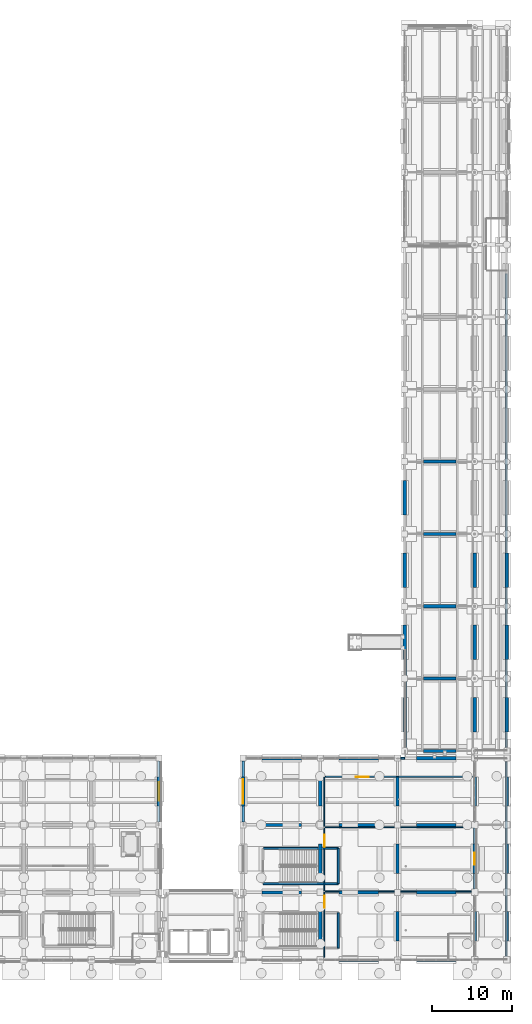
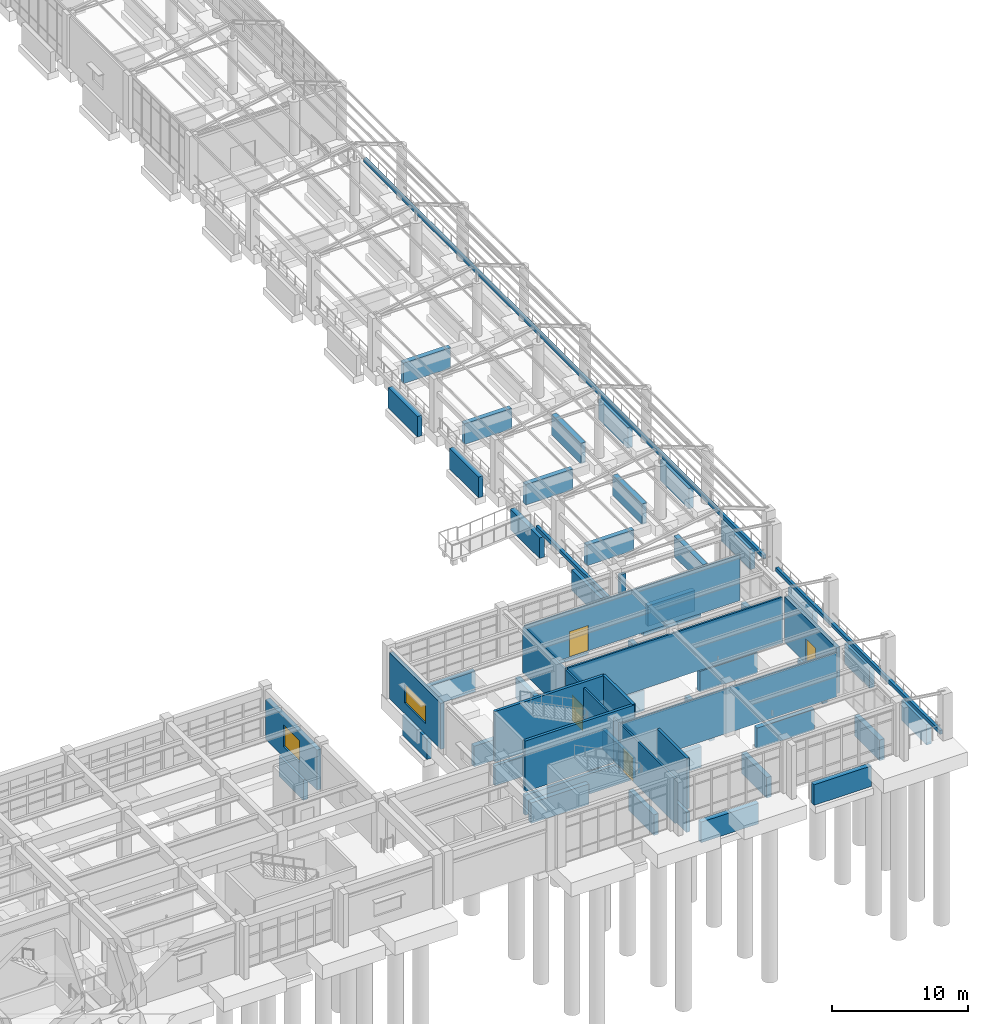
# One storey, part 87 of 111: 61 walls, 4 doors, 2 windows, 6 openings.
"""IFC4 building model written with IfcOpenShell, lengths in metres."""

from ifc_helpers import new_model, si_unit, direction, frame, frame_2d, origin, place, context, subcontext, project, spatial, rectangle, extrude, material, layer, layer_set, type_object, element, fill, save


model = new_model("IFC4")

# Units and contexts
model_context = context("Model", 3, precision=1e-05, world=origin(), true_north=direction((0.0, 1.0)))
body_context = subcontext(model_context, "Body", "Model", "MODEL_VIEW")
ifc_project = project(units=[si_unit("LENGTHUNIT", "METRE"), si_unit("AREAUNIT", "SQUARE_METRE"), si_unit("VOLUMEUNIT", "CUBIC_METRE"), si_unit("PLANEANGLEUNIT", "RADIAN"), si_unit("MASSUNIT", "GRAM", prefix="KILO")], contexts=[model_context])

# Site, building, storey
site_placement = place(None, origin())
site = spatial("IfcSite", under=ifc_project, at=site_placement, CompositionType="ELEMENT")
building_placement = place(site_placement, origin())
building = spatial("IfcBuilding", under=site, at=building_placement, Name="Canglan Escarpment Cableway Terminal", CompositionType="ELEMENT")
storey_placement = place(building_placement, frame((0.0, 0.0, 4.800048828125)))
storey = spatial("IfcBuildingStorey", under=building, at=storey_placement, Name="L01", CompositionType="ELEMENT", Elevation=4.800048828125)

# Walls
ifc_material_1 = material(Name="Concrete C40", Category="concrete")
ifc_layer_1 = layer(ifc_material_1, 0.39990234375, Name="Concrete C40")
ifc_layer_set_1 = layer_set([ifc_layer_1], Name="Concrete C40")
wall_type_1 = type_object("IfcWallType", Name="WL-BENCH-SOLID-400", PredefinedType="SOLIDWALL", material=ifc_layer_set_1)
wall_1_placement = place(storey_placement, frame((136.699951171875, 27.14990234375, -2.10009765625), z_axis=(0.0, 0.0, 1.0), x_axis=(0.0, 1.0, 0.0)))
element("IfcWall", 1, at=wall_1_placement, inside=storey, type_object=wall_type_1, Name="Hillside bench transverse foundation wall BWALL-Y-FB4-4-3", PredefinedType="SOLIDWALL", context=body_context, shape_type="SweptSolid", body=[
    extrude(rectangle(XDim=3.60009765625, YDim=0.39990234375, at=frame_2d((1.800048828125, 0.0))), origin(), (0.0, 0.0, 1.0), 1.85009765625),
])
wall_2_placement = place(storey_placement, frame((159.14990234375, 8.0, -2.10009765625), z_axis=(0.0, 0.0, 1.0), x_axis=(1.0, 0.0, 0.0)))
element("IfcWall", 2, at=wall_2_placement, inside=storey, type_object=wall_type_1, Name="Hillside bench foundation wall BWALL-X-FB5-1-2", PredefinedType="SOLIDWALL", context=body_context, shape_type="SweptSolid", body=[
    extrude(rectangle(XDim=4.900146484375, YDim=0.39990234375, at=frame_2d((2.4501953125, 0.0))), origin(), (0.0, 0.0, 1.0), 1.85009765625),
])
for number, where, z_axis, x_axis, name in (
    (3, (168.75, 8.0, -2.10009765625), (0.0, 0.0, 1.0), (1.0, 0.0, 0.0), "Hillside bench foundation wall BWALL-X-FB5-1-3"),
    (4, (149.550048828125, 16.39990234375, -2.10009765625), (0.0, 0.0, 1.0), (1.0, 0.0, 0.0), "Hillside bench foundation wall BWALL-X-FB5-2-1"),
):
    element("IfcWall", number, at=place(storey_placement, frame(where, z_axis=z_axis, x_axis=x_axis)), inside=storey, type_object=wall_type_1, Name=name, PredefinedType="SOLIDWALL", context=body_context, shape_type="SweptSolid", body=[
        extrude(rectangle(XDim=4.89990234375, YDim=0.39990234375, at=frame_2d((2.449951171875, 0.0))), origin(), (0.0, 0.0, 1.0), 1.85009765625),
    ])
wall_3_placement = place(storey_placement, frame((159.14990234375, 16.39990234375, -2.10009765625), z_axis=(0.0, 0.0, 1.0), x_axis=(1.0, 0.0, 0.0)))
element("IfcWall", 5, at=wall_3_placement, inside=storey, type_object=wall_type_1, Name="Hillside bench foundation wall BWALL-X-FB5-2-2", PredefinedType="SOLIDWALL", context=body_context, shape_type="SweptSolid", body=[
    extrude(rectangle(XDim=4.900146484375, YDim=0.39990234375, at=frame_2d((2.4501953125, 0.0))), origin(), (0.0, 0.0, 1.0), 1.85009765625),
])
for number, where, z_axis, x_axis, name in (
    (6, (168.75, 16.39990234375, -2.10009765625), (0.0, 0.0, 1.0), (1.0, 0.0, 0.0), "Hillside bench foundation wall BWALL-X-FB5-2-3"),
    (7, (149.550048828125, 24.800048828125, -2.10009765625), (0.0, 0.0, 1.0), (1.0, 0.0, 0.0), "Hillside bench foundation wall BWALL-X-FB5-3-1"),
):
    element("IfcWall", number, at=place(storey_placement, frame(where, z_axis=z_axis, x_axis=x_axis)), inside=storey, type_object=wall_type_1, Name=name, PredefinedType="SOLIDWALL", context=body_context, shape_type="SweptSolid", body=[
        extrude(rectangle(XDim=4.89990234375, YDim=0.39990234375, at=frame_2d((2.449951171875, 0.0))), origin(), (0.0, 0.0, 1.0), 1.85009765625),
    ])
wall_4_placement = place(storey_placement, frame((159.14990234375, 24.800048828125, -2.10009765625), z_axis=(0.0, 0.0, 1.0), x_axis=(1.0, 0.0, 0.0)))
element("IfcWall", 8, at=wall_4_placement, inside=storey, type_object=wall_type_1, Name="Hillside bench foundation wall BWALL-X-FB5-3-2", PredefinedType="SOLIDWALL", context=body_context, shape_type="SweptSolid", body=[
    extrude(rectangle(XDim=4.900146484375, YDim=0.39990234375, at=frame_2d((2.4501953125, 0.0))), origin(), (0.0, 0.0, 1.0), 1.85009765625),
])
for number, where, z_axis, x_axis, name in (
    (9, (168.75, 24.800048828125, -2.10009765625), (0.0, 0.0, 1.0), (1.0, 0.0, 0.0), "Hillside bench foundation wall BWALL-X-FB5-3-3"),
    (10, (149.550048828125, 33.10009765625, -2.10009765625), (0.0, 0.0, 1.0), (1.0, 0.0, 0.0), "Hillside bench foundation wall BWALL-X-FB5-4-1"),
):
    element("IfcWall", number, at=place(storey_placement, frame(where, z_axis=z_axis, x_axis=x_axis)), inside=storey, type_object=wall_type_1, Name=name, PredefinedType="SOLIDWALL", context=body_context, shape_type="SweptSolid", body=[
        extrude(rectangle(XDim=4.89990234375, YDim=0.39990234375, at=frame_2d((2.449951171875, 0.0))), origin(), (0.0, 0.0, 1.0), 1.85009765625),
    ])
wall_5_placement = place(storey_placement, frame((159.14990234375, 33.10009765625, -2.10009765625), z_axis=(0.0, 0.0, 1.0), x_axis=(1.0, 0.0, 0.0)))
element("IfcWall", 11, at=wall_5_placement, inside=storey, type_object=wall_type_1, Name="Hillside bench foundation wall BWALL-X-FB5-4-2", PredefinedType="SOLIDWALL", context=body_context, shape_type="SweptSolid", body=[
    extrude(rectangle(XDim=4.900146484375, YDim=0.39990234375, at=frame_2d((2.4501953125, 0.0))), origin(), (0.0, 0.0, 1.0), 1.85009765625),
])
wall_6_placement = place(storey_placement, frame((168.75, 33.10009765625, -2.10009765625), z_axis=(0.0, 0.0, 1.0), x_axis=(1.0, 0.0, 0.0)))
element("IfcWall", 12, at=wall_6_placement, inside=storey, type_object=wall_type_1, Name="Hillside bench foundation wall BWALL-X-FB5-4-3", PredefinedType="SOLIDWALL", context=body_context, shape_type="SweptSolid", body=[
    extrude(rectangle(XDim=4.89990234375, YDim=0.39990234375, at=frame_2d((2.449951171875, 0.0))), origin(), (0.0, 0.0, 1.0), 1.85009765625),
])
wall_7_placement = place(storey_placement, frame((147.199951171875, 27.14990234375, -2.10009765625), z_axis=(0.0, 0.0, 1.0), x_axis=(0.0, 1.0, 0.0)))
element("IfcWall", 13, at=wall_7_placement, inside=storey, type_object=wall_type_1, Name="Hillside bench transverse foundation wall BWALL-Y-FB5-1-3", PredefinedType="SOLIDWALL", context=body_context, shape_type="SweptSolid", body=[
    extrude(rectangle(XDim=3.60009765625, YDim=0.39990234375, at=frame_2d((1.800048828125, 0.0))), origin(), (0.0, 0.0, 1.0), 1.85009765625),
])
for number, where, z_axis, x_axis, name in (
    (14, (156.800048828125, 10.35009765625, -2.10009765625), (0.0, 0.0, 1.0), (0.0, 1.0, 0.0), "Hillside bench transverse foundation wall BWALL-Y-FB5-2-1"),
    (15, (156.800048828125, 18.75, -2.10009765625), (0.0, 0.0, 1.0), (0.0, 1.0, 0.0), "Hillside bench transverse foundation wall BWALL-Y-FB5-2-2"),
):
    element("IfcWall", number, at=place(storey_placement, frame(where, z_axis=z_axis, x_axis=x_axis)), inside=storey, type_object=wall_type_1, Name=name, PredefinedType="SOLIDWALL", context=body_context, shape_type="SweptSolid", body=[
        extrude(rectangle(XDim=3.699951171875, YDim=0.39990234375, at=frame_2d((1.85009765625, 0.0))), origin(), (0.0, 0.0, 1.0), 1.85009765625),
    ])
wall_8_placement = place(storey_placement, frame((156.800048828125, 27.14990234375, -2.10009765625), z_axis=(0.0, 0.0, 1.0), x_axis=(0.0, 1.0, 0.0)))
element("IfcWall", 16, at=wall_8_placement, inside=storey, type_object=wall_type_1, Name="Hillside bench transverse foundation wall BWALL-Y-FB5-2-3", PredefinedType="SOLIDWALL", context=body_context, shape_type="SweptSolid", body=[
    extrude(rectangle(XDim=3.60009765625, YDim=0.39990234375, at=frame_2d((1.800048828125, 0.0))), origin(), (0.0, 0.0, 1.0), 1.85009765625),
])
for number, where, z_axis, x_axis, name in (
    (17, (166.39990234375, 10.35009765625, -2.10009765625), (0.0, 0.0, 1.0), (0.0, 1.0, 0.0), "Hillside bench transverse foundation wall BWALL-Y-FB5-3-1"),
    (18, (166.39990234375, 18.75, -2.10009765625), (0.0, 0.0, 1.0), (0.0, 1.0, 0.0), "Hillside bench transverse foundation wall BWALL-Y-FB5-3-2"),
):
    element("IfcWall", number, at=place(storey_placement, frame(where, z_axis=z_axis, x_axis=x_axis)), inside=storey, type_object=wall_type_1, Name=name, PredefinedType="SOLIDWALL", context=body_context, shape_type="SweptSolid", body=[
        extrude(rectangle(XDim=3.699951171875, YDim=0.39990234375, at=frame_2d((1.85009765625, 0.0))), origin(), (0.0, 0.0, 1.0), 1.85009765625),
    ])
wall_9_placement = place(storey_placement, frame((166.39990234375, 27.14990234375, -2.10009765625), z_axis=(0.0, 0.0, 1.0), x_axis=(0.0, 1.0, 0.0)))
element("IfcWall", 19, at=wall_9_placement, inside=storey, type_object=wall_type_1, Name="Hillside bench transverse foundation wall BWALL-Y-FB5-3-3", PredefinedType="SOLIDWALL", context=body_context, shape_type="SweptSolid", body=[
    extrude(rectangle(XDim=3.60009765625, YDim=0.39990234375, at=frame_2d((1.800048828125, 0.0))), origin(), (0.0, 0.0, 1.0), 1.85009765625),
])
for number, where, z_axis, x_axis, name in (
    (20, (176.0, 10.35009765625, -2.10009765625), (0.0, 0.0, 1.0), (0.0, 1.0, 0.0), "Hillside bench transverse foundation wall BWALL-Y-FB5-4-1"),
    (21, (176.0, 18.75, -2.10009765625), (0.0, 0.0, 1.0), (0.0, 1.0, 0.0), "Hillside bench transverse foundation wall BWALL-Y-FB5-4-2"),
):
    element("IfcWall", number, at=place(storey_placement, frame(where, z_axis=z_axis, x_axis=x_axis)), inside=storey, type_object=wall_type_1, Name=name, PredefinedType="SOLIDWALL", context=body_context, shape_type="SweptSolid", body=[
        extrude(rectangle(XDim=3.699951171875, YDim=0.39990234375, at=frame_2d((1.85009765625, 0.0))), origin(), (0.0, 0.0, 1.0), 1.85009765625),
    ])
wall_10_placement = place(storey_placement, frame((176.0, 27.14990234375, -2.10009765625), z_axis=(0.0, 0.0, 1.0), x_axis=(0.0, 1.0, 0.0)))
element("IfcWall", 22, at=wall_10_placement, inside=storey, type_object=wall_type_1, Name="Hillside bench transverse foundation wall BWALL-Y-FB5-4-3", PredefinedType="SOLIDWALL", context=body_context, shape_type="SweptSolid", body=[
    extrude(rectangle(XDim=3.60009765625, YDim=0.39990234375, at=frame_2d((1.800048828125, 0.0))), origin(), (0.0, 0.0, 1.0), 1.85009765625),
])
for number, where, z_axis, x_axis, name in (
    (23, (180.0, 10.35009765625, -2.10009765625), (0.0, 0.0, 1.0), (0.0, 1.0, 0.0), "Hillside bench transverse foundation wall BWALL-Y-FB5-5-1"),
    (24, (180.0, 18.75, -2.10009765625), (0.0, 0.0, 1.0), (0.0, 1.0, 0.0), "Hillside bench transverse foundation wall BWALL-Y-FB5-5-2"),
):
    element("IfcWall", number, at=place(storey_placement, frame(where, z_axis=z_axis, x_axis=x_axis)), inside=storey, type_object=wall_type_1, Name=name, PredefinedType="SOLIDWALL", context=body_context, shape_type="SweptSolid", body=[
        extrude(rectangle(XDim=3.699951171875, YDim=0.39990234375, at=frame_2d((1.85009765625, 0.0))), origin(), (0.0, 0.0, 1.0), 1.85009765625),
    ])
wall_11_placement = place(storey_placement, frame((180.0, 27.14990234375, -2.10009765625), z_axis=(0.0, 0.0, 1.0), x_axis=(0.0, 1.0, 0.0)))
element("IfcWall", 25, at=wall_11_placement, inside=storey, type_object=wall_type_1, Name="Hillside bench transverse foundation wall BWALL-Y-FB5-5-3", PredefinedType="SOLIDWALL", context=body_context, shape_type="SweptSolid", body=[
    extrude(rectangle(XDim=3.60009765625, YDim=0.39990234375, at=frame_2d((1.800048828125, 0.0))), origin(), (0.0, 0.0, 1.0), 1.85009765625),
])
for number, where, z_axis, x_axis, name in (
    (26, (169.64990234375, 34.0, -2.10009765625), (0.0, 0.0, 1.0), (1.0, 0.0, 0.0), "Hillside bench foundation wall BWALL-X-FB6-1-1"),
    (27, (169.64990234375, 43.0, -2.10009765625), (0.0, 0.0, 1.0), (1.0, 0.0, 0.0), "Hillside bench foundation wall BWALL-X-FB6-2-1"),
    (28, (169.64990234375, 52.0, -2.10009765625), (0.0, 0.0, 1.0), (1.0, 0.0, 0.0), "Hillside bench foundation wall BWALL-X-FB6-3-1"),
    (29, (169.64990234375, 61.0, -2.10009765625), (0.0, 0.0, 1.0), (1.0, 0.0, 0.0), "Hillside bench foundation wall BWALL-X-FB6-4-1"),
    (30, (169.64990234375, 70.0, -2.10009765625), (0.0, 0.0, 1.0), (1.0, 0.0, 0.0), "Hillside bench foundation wall BWALL-X-FB6-5-1"),
):
    element("IfcWall", number, at=place(storey_placement, frame(where, z_axis=z_axis, x_axis=x_axis)), inside=storey, type_object=wall_type_1, Name=name, PredefinedType="SOLIDWALL", context=body_context, shape_type="SweptSolid", body=[
        extrude(rectangle(XDim=4.0, YDim=0.39990234375, at=frame_2d((2.0, 0.0))), origin(), (0.0, 0.0, 1.0), 1.85009765625),
    ])
for number, where, z_axis, x_axis, name in (
    (31, (167.300048828125, 36.35009765625, -2.10009765625), (0.0, 0.0, 1.0), (0.0, 1.0, 0.0), "Hillside bench transverse foundation wall BWALL-Y-FB6-1-1"),
    (32, (167.300048828125, 45.35009765625, -2.10009765625), (0.0, 0.0, 1.0), (0.0, 1.0, 0.0), "Hillside bench transverse foundation wall BWALL-Y-FB6-1-2"),
    (33, (167.300048828125, 54.35009765625, -2.10009765625), (0.0, 0.0, 1.0), (0.0, 1.0, 0.0), "Hillside bench transverse foundation wall BWALL-Y-FB6-1-3"),
    (34, (167.300048828125, 63.35009765625, -2.10009765625), (0.0, 0.0, 1.0), (0.0, 1.0, 0.0), "Hillside bench transverse foundation wall BWALL-Y-FB6-1-4"),
    (35, (176.0, 36.35009765625, -2.10009765625), (0.0, 0.0, 1.0), (0.0, 1.0, 0.0), "Hillside bench transverse foundation wall BWALL-Y-FB6-2-1"),
    (36, (176.0, 45.35009765625, -2.10009765625), (0.0, 0.0, 1.0), (0.0, 1.0, 0.0), "Hillside bench transverse foundation wall BWALL-Y-FB6-2-2"),
    (37, (176.0, 54.35009765625, -2.10009765625), (0.0, 0.0, 1.0), (0.0, 1.0, 0.0), "Hillside bench transverse foundation wall BWALL-Y-FB6-2-3"),
    (38, (180.0, 36.35009765625, -2.10009765625), (0.0, 0.0, 1.0), (0.0, 1.0, 0.0), "Hillside bench transverse foundation wall BWALL-Y-FB6-3-1"),
    (39, (180.0, 45.35009765625, -2.10009765625), (0.0, 0.0, 1.0), (0.0, 1.0, 0.0), "Hillside bench transverse foundation wall BWALL-Y-FB6-3-2"),
    (40, (180.0, 54.35009765625, -2.10009765625), (0.0, 0.0, 1.0), (0.0, 1.0, 0.0), "Hillside bench transverse foundation wall BWALL-Y-FB6-3-3"),
):
    element("IfcWall", number, at=place(storey_placement, frame(where, z_axis=z_axis, x_axis=x_axis)), inside=storey, type_object=wall_type_1, Name=name, PredefinedType="SOLIDWALL", context=body_context, shape_type="SweptSolid", body=[
        extrude(rectangle(XDim=4.2998046875, YDim=0.39990234375, at=frame_2d((2.14990234375, 0.0))), origin(), (0.0, 0.0, 1.0), 1.85009765625),
    ])
wall_12_placement = place(storey_placement, frame((159.02001953125, 9.47998046875, -2.10009765625), z_axis=(0.0, 0.0, 1.0), x_axis=(0.0, 1.0, 0.0)))
element("IfcWall", 41, at=wall_12_placement, inside=storey, type_object=wall_type_1, Name="Stair core foundation wall ST-08", PredefinedType="SOLIDWALL", context=body_context, shape_type="SweptSolid", body=[
    extrude(rectangle(XDim=4.39013671875, YDim=0.280029296875, at=frame_2d((2.195068359375, 0.0))), origin(), (0.0, 0.0, 1.0), 1.800048828125),
])
wall_13_placement = place(storey_placement, frame((149.679931640625, 17.47998046875, -2.10009765625), z_axis=(0.0, 0.0, 1.0), x_axis=(1.0, 0.0, 0.0)))
element("IfcWall", 42, at=wall_13_placement, inside=storey, type_object=wall_type_1, Name="Stair core foundation wall ST-09", PredefinedType="SOLIDWALL", context=body_context, shape_type="SweptSolid", body=[
    extrude(rectangle(XDim=9.340087890625, YDim=0.280029296875, at=frame_2d((4.669921875, 0.0))), origin(), (0.0, 0.0, 1.0), 1.800048828125),
])
wall_14_placement = place(storey_placement, frame((159.02001953125, 17.47998046875, -2.10009765625), z_axis=(0.0, 0.0, 1.0), x_axis=(0.0, 1.0, 0.0)))
element("IfcWall", 43, at=wall_14_placement, inside=storey, type_object=wall_type_1, Name="Stair core foundation wall ST-09", PredefinedType="SOLIDWALL", context=body_context, shape_type="SweptSolid", body=[
    extrude(rectangle(XDim=4.39013671875, YDim=0.280029296875, at=frame_2d((2.195068359375, 0.0))), origin(), (0.0, 0.0, 1.0), 1.800048828125),
])
wall_15_placement = place(storey_placement, frame((159.02001953125, 21.8701171875, -2.10009765625), z_axis=(0.0, 0.0, 1.0), x_axis=(-1.0, 0.0, 0.0)))
element("IfcWall", 44, at=wall_15_placement, inside=storey, type_object=wall_type_1, Name="Stair core foundation wall ST-09", PredefinedType="SOLIDWALL", context=body_context, shape_type="SweptSolid", body=[
    extrude(rectangle(XDim=9.340087890625, YDim=0.280029296875, at=frame_2d((4.669921875, 0.0))), origin(), (0.0, 0.0, 1.0), 1.800048828125),
])
ifc_layer_2 = layer(ifc_material_1, 0.239990234375, Name="Concrete C40")
ifc_layer_set_2 = layer_set([ifc_layer_2], Name="Concrete C40")
wall_type_2 = type_object("IfcWallType", Name="WL-CORE-SHEAR-240", PredefinedType="SHEAR", material=ifc_layer_set_2)
wall_16_placement = place(storey_placement, frame((159.02001953125, 9.47998046875, 0.0), z_axis=(0.0, 0.0, 1.0), x_axis=(0.0, 1.0, 0.0)))
element("IfcWall", 45, at=wall_16_placement, inside=storey, type_object=wall_type_2, Name="Protected stair core wall ST-08 (L01)", PredefinedType="SHEAR", context=body_context, shape_type="SweptSolid", body=[
    extrude(rectangle(XDim=4.39013671875, YDim=0.239990234375, at=frame_2d((2.195068359375, 0.0))), origin(), (0.0, 0.0, 1.0), 4.550048828125),
])
wall_17_placement = place(storey_placement, frame((149.679931640625, 17.47998046875, 0.0), z_axis=(0.0, 0.0, 1.0), x_axis=(1.0, 0.0, 0.0)))
element("IfcWall", 46, at=wall_17_placement, inside=storey, type_object=wall_type_2, Name="Protected stair core wall ST-09 (L01)", PredefinedType="SHEAR", context=body_context, shape_type="SweptSolid", body=[
    extrude(rectangle(XDim=9.340087890625, YDim=0.239990234375, at=frame_2d((4.669921875, 0.0))), origin(), (0.0, 0.0, 1.0), 4.550048828125),
])
wall_18_placement = place(storey_placement, frame((159.02001953125, 17.47998046875, 0.0), z_axis=(0.0, 0.0, 1.0), x_axis=(0.0, 1.0, 0.0)))
element("IfcWall", 47, at=wall_18_placement, inside=storey, type_object=wall_type_2, Name="Protected stair core wall ST-09 (L01)", PredefinedType="SHEAR", context=body_context, shape_type="SweptSolid", body=[
    extrude(rectangle(XDim=4.39013671875, YDim=0.239990234375, at=frame_2d((2.195068359375, 0.0))), origin(), (0.0, 0.0, 1.0), 4.550048828125),
])
wall_19_placement = place(storey_placement, frame((159.02001953125, 21.8701171875, 0.0), z_axis=(0.0, 0.0, 1.0), x_axis=(-1.0, 0.0, 0.0)))
element("IfcWall", 48, at=wall_19_placement, inside=storey, type_object=wall_type_2, Name="Protected stair core wall ST-09 (L01)", PredefinedType="SHEAR", context=body_context, shape_type="SweptSolid", body=[
    extrude(rectangle(XDim=9.340087890625, YDim=0.239990234375, at=frame_2d((4.669921875, 0.0))), origin(), (0.0, 0.0, 1.0), 4.550048828125),
])

# Wall, opening, door
ifc_material_2 = material(Name="Dressed ashlar limestone on Concrete C40", Category="masonry")
ifc_layer_3 = layer(ifc_material_2, 0.320068359375, Name="Dressed ashlar limestone on Concrete C40")
ifc_layer_set_3 = layer_set([ifc_layer_3], Name="Dressed ashlar limestone on Concrete C40")
wall_type_3 = type_object("IfcWallType", Name="WL-EXT-ASHLAR-320", PredefinedType="STANDARD", material=ifc_layer_set_3)
wall_20_placement = place(storey_placement, frame((176.0, 16.800048828125, 0.0), z_axis=(0.0, 0.0, 1.0), x_axis=(0.0, 1.0, 0.0)))
wall_20 = element("IfcWall", 49, at=wall_20_placement, inside=storey, type_object=wall_type_3, Name="Classical stone-faced exterior wall EW-FB5-L01-E-02", PredefinedType="STANDARD", context=body_context, shape_type="SweptSolid", body=[
    extrude(rectangle(XDim=7.599853515625, YDim=0.320068359375, at=frame_2d((3.7998046875, 0.0))), origin(), (0.0, 0.0, 1.0), 4.114990234375),
])
opening_1_placement = place(wall_20_placement, frame((3.0400390625, 0.0, 0.0)))
opening_1 = element("IfcOpeningElement", 50, at=opening_1_placement, cuts=wall_20, Name="Opening ED-08", PredefinedType="OPENING", context=body_context, shape_type="SweptSolid", body=[
    extrude(rectangle(XDim=1.52001953125, YDim=2.219970703125, at=frame_2d((0.760009765625, 1.10986328125))), frame((0.0, 0.169921875, 0.0), z_axis=(0.0, -1.0, 0.0), x_axis=(1.0, 0.0, 0.0)), (0.0, 0.0, 1.0), 0.340087890625),
])
ifc_material_3 = material(Name="Anodized bronze aluminium and tempered safety glass", Category="aluminium")
door_type_1 = type_object("IfcDoorType", Name="DR-EXT-BALC-1520", OperationType="NOTDEFINED", PredefinedType="DOOR", material=ifc_material_3)
door_1_placement = place(opening_1_placement, origin())
door_1 = element("IfcDoor", 51, at=door_1_placement, inside=storey, type_object=door_type_1, Name="Terrace access glazed door ED-08", OperationType="DOUBLE_DOOR_SINGLE_SWING", OverallHeight=2.219970703125, OverallWidth=1.52001953125, PredefinedType="DOOR", context=body_context, shape_type="SweptSolid", body=[
    extrude(rectangle(XDim=1.52001953125, YDim=2.219970703125, at=frame_2d((0.760009765625, 1.10986328125))), frame((0.0, 0.02490234375, 0.0), z_axis=(0.0, -1.0, 0.0), x_axis=(1.0, 0.0, 0.0)), (0.0, 0.0, 1.0), 0.050048828125),
])
fill(opening_1, door_1)

# Wall, opening, window
wall_21_placement = place(storey_placement, frame((147.199951171875, 32.72509765625, 0.0), z_axis=(0.0, 0.0, 1.0), x_axis=(0.0, -1.0, 0.0)))
wall_21 = element("IfcWall", 52, at=wall_21_placement, inside=storey, type_object=wall_type_3, Name="Classical stone-faced exterior wall EW-FB5-L01-W-03", PredefinedType="STANDARD", context=body_context, shape_type="SweptSolid", body=[
    extrude(rectangle(XDim=7.550048828125, YDim=0.320068359375, at=frame_2d((3.77490234375, 0.0))), origin(), (0.0, 0.0, 1.0), 4.135009765625),
])
opening_2_placement = place(wall_21_placement, frame((2.22509765625, 0.0, 0.949951171875)))
opening_2 = element("IfcOpeningElement", 53, at=opening_2_placement, cuts=wall_21, Name="Opening W-34", PredefinedType="OPENING", context=body_context, shape_type="SweptSolid", body=[
    extrude(rectangle(XDim=3.10009765625, YDim=1.699951171875, at=frame_2d((1.550048828125, 0.85009765625))), frame((0.0, 0.169921875, 0.0), z_axis=(0.0, -1.0, 0.0), x_axis=(1.0, 0.0, 0.0)), (0.0, 0.0, 1.0), 0.340087890625),
])
ifc_material_4 = material(Name="Anodized bronze aluminium and Low-E double glazing", Category="aluminium")
window_type_1 = type_object("IfcWindowType", Name="WIN-EXT-34", PartitioningType="DOUBLE_PANEL_VERTICAL", PredefinedType="WINDOW", material=ifc_material_4)
window_1_placement = place(opening_2_placement, origin())
window_1 = element("IfcWindow", 54, at=window_1_placement, inside=storey, type_object=window_type_1, Name="Classical module window W-34", OverallHeight=1.699951171875, OverallWidth=3.10009765625, PartitioningType="SINGLE_PANEL", PredefinedType="WINDOW", context=body_context, shape_type="SweptSolid", body=[
    extrude(rectangle(XDim=3.10009765625, YDim=1.699951171875, at=frame_2d((1.550048828125, 0.85009765625))), frame((0.0, 0.030029296875, 0.0), z_axis=(0.0, -1.0, 0.0), x_axis=(1.0, 0.0, 0.0)), (0.0, 0.0, 1.0), 0.06005859375),
])
fill(opening_2, window_1)

# Wall
ifc_material_5 = material(Name="Insulated stone-faced spandrel wall", Category="masonry")
ifc_layer_4 = layer(ifc_material_5, 0.22998046875, Name="Insulated stone-faced spandrel wall")
ifc_layer_set_4 = layer_set([ifc_layer_4], Name="Insulated stone-faced spandrel wall")
wall_type_4 = type_object("IfcWallType", Name="WL-EXT-LINK-230", PredefinedType="STANDARD", material=ifc_layer_set_4)
wall_22_placement = place(storey_placement, frame((166.77490234375, 33.10009765625, 0.0), z_axis=(0.0, 0.0, 1.0), x_axis=(1.0, 0.0, 0.0)))
element("IfcWall", 55, at=wall_22_placement, inside=storey, type_object=wall_type_4, Name="Classical stone-faced exterior wall EW-FB5-L01-N-03-FL1", PredefinedType="STANDARD", context=body_context, shape_type="SweptSolid", body=[
    extrude(rectangle(XDim=0.525146484375, YDim=0.22998046875, at=frame_2d((0.2626953125, 0.0))), origin(), (0.0, 0.0, 1.0), 4.02685546875),
])

# Wall, opening, window
ifc_material_6 = material(Name="Rusticated limestone masonry on Concrete C40", Category="masonry")
ifc_layer_5 = layer(ifc_material_6, 0.360107421875, Name="Rusticated limestone masonry on Concrete C40")
ifc_layer_set_5 = layer_set([ifc_layer_5], Name="Rusticated limestone masonry on Concrete C40")
wall_type_5 = type_object("IfcWallType", Name="WL-EXT-RUST-360", PredefinedType="STANDARD", material=ifc_layer_set_5)
wall_23_placement = place(storey_placement, frame((136.699951171875, 25.175048828125, 0.0), z_axis=(0.0, 0.0, 1.0), x_axis=(0.0, 1.0, 0.0)))
wall_23 = element("IfcWall", 56, at=wall_23_placement, inside=storey, type_object=wall_type_5, Name="Classical stone-faced exterior wall EW-FB4-L01-E-03", PredefinedType="STANDARD", context=body_context, shape_type="SweptSolid", body=[
    extrude(rectangle(XDim=7.550048828125, YDim=0.360107421875, at=frame_2d((3.77490234375, 0.0))), origin(), (0.0, 0.0, 1.0), 3.614990234375),
])
opening_3_placement = place(wall_23_placement, frame((2.60009765625, 0.0, 0.949951171875)))
opening_3 = element("IfcOpeningElement", 57, at=opening_3_placement, cuts=wall_23, Name="Opening W-23", PredefinedType="OPENING", context=body_context, shape_type="SweptSolid", body=[
    extrude(rectangle(XDim=2.35009765625, YDim=1.949951171875, at=frame_2d((1.175048828125, 0.97509765625))), frame((0.0, 0.18994140625, 0.0), z_axis=(0.0, -1.0, 0.0), x_axis=(1.0, 0.0, 0.0)), (0.0, 0.0, 1.0), 0.380126953125),
])
window_type_2 = type_object("IfcWindowType", Name="WIN-EXT-23", PartitioningType="DOUBLE_PANEL_VERTICAL", PredefinedType="WINDOW", material=ifc_material_4)
window_2_placement = place(opening_3_placement, origin())
window_2 = element("IfcWindow", 58, at=window_2_placement, inside=storey, type_object=window_type_2, Name="Classical module window W-23", OverallHeight=1.949951171875, OverallWidth=2.35009765625, PartitioningType="SINGLE_PANEL", PredefinedType="WINDOW", context=body_context, shape_type="SweptSolid", body=[
    extrude(rectangle(XDim=2.35009765625, YDim=1.949951171875, at=frame_2d((1.175048828125, 0.97509765625))), frame((0.0, 0.030029296875, 0.0), z_axis=(0.0, -1.0, 0.0), x_axis=(1.0, 0.0, 0.0)), (0.0, 0.0, 1.0), 0.06005859375),
])
fill(opening_3, window_2)

# Wall, opening, door
ifc_material_7 = material(Name="Acoustic double-stud gypsum partition", Category="gypsum")
ifc_layer_6 = layer(ifc_material_7, 0.14990234375, Name="Acoustic double-stud gypsum partition")
ifc_layer_set_6 = layer_set([ifc_layer_6], Name="Acoustic double-stud gypsum partition")
wall_type_6 = type_object("IfcWallType", Name="WL-INT-PART-150", PredefinedType="PARTITIONING", material=ifc_layer_set_6)
wall_24_placement = place(storey_placement, frame((157.300048828125, 16.60009765625, 0.0), z_axis=(0.0, 0.0, 1.0), x_axis=(0.0, 1.0, 0.0)))
wall_24 = element("IfcWall", 59, at=wall_24_placement, inside=storey, type_object=wall_type_6, Name="Interior partition wall IW-L01-16-MAIN", PredefinedType="PARTITIONING", context=body_context, shape_type="SweptSolid", body=[
    extrude(rectangle(XDim=7.7998046875, YDim=0.14990234375, at=frame_2d((3.89990234375, 0.0))), origin(), (0.0, 0.0, 1.0), 4.046875),
])
opening_4_placement = place(wall_24_placement, frame((5.39990234375, 0.0, 0.0)))
opening_4 = element("IfcOpeningElement", 60, at=opening_4_placement, cuts=wall_24, Name="Opening ID-24", PredefinedType="OPENING", context=body_context, shape_type="SweptSolid", body=[
    extrude(rectangle(XDim=1.60009765625, YDim=2.280029296875, at=frame_2d((0.800048828125, 1.14013671875))), frame((0.0, 0.0849609375, 0.0), z_axis=(0.0, -1.0, 0.0), x_axis=(1.0, 0.0, 0.0)), (0.0, 0.0, 1.0), 0.169921875),
])
ifc_material_8 = material(Name="Stained oak and safety glass door", Category="glass")
door_type_2 = type_object("IfcDoorType", Name="DR-INT-ID-24", OperationType="NOTDEFINED", PredefinedType="DOOR", material=ifc_material_8)
door_2_placement = place(opening_4_placement, origin())
door_2 = element("IfcDoor", 61, at=door_2_placement, inside=storey, type_object=door_type_2, Name="VIP Reception Lounge door ID-24", OperationType="DOUBLE_DOOR_SINGLE_SWING", OverallHeight=2.280029296875, OverallWidth=1.60009765625, PredefinedType="DOOR", context=body_context, shape_type="SweptSolid", body=[
    extrude(rectangle(XDim=1.60009765625, YDim=2.280029296875, at=frame_2d((0.800048828125, 1.14013671875))), frame((0.0, 0.02490234375, 0.0), z_axis=(0.0, -1.0, 0.0), x_axis=(1.0, 0.0, 0.0)), (0.0, 0.0, 1.0), 0.050048828125),
])
fill(opening_4, door_2)

# Wall
wall_25_placement = place(storey_placement, frame((157.39990234375, 24.5, 0.0), z_axis=(0.0, 0.0, 1.0), x_axis=(1.0, 0.0, 0.0)))
element("IfcWall", 62, at=wall_25_placement, inside=storey, type_object=wall_type_6, Name="Interior partition wall IW-L01-16-SIDE", PredefinedType="PARTITIONING", context=body_context, shape_type="SweptSolid", body=[
    extrude(rectangle(XDim=18.300048828125, YDim=0.14990234375, at=frame_2d((9.14990234375, 0.0))), origin(), (0.0, 0.0, 1.0), 4.125),
])

# Wall, opening, door
wall_26_placement = place(storey_placement, frame((157.39990234375, 30.780029296875, 0.0), z_axis=(0.0, 0.0, 1.0), x_axis=(1.0, 0.0, 0.0)))
wall_26 = element("IfcWall", 63, at=wall_26_placement, inside=storey, type_object=wall_type_6, Name="Interior partition wall IW-L01-17-MAIN", PredefinedType="PARTITIONING", context=body_context, shape_type="SweptSolid", body=[
    extrude(rectangle(XDim=18.300048828125, YDim=0.14990234375, at=frame_2d((9.14990234375, 0.0))), origin(), (0.0, 0.0, 1.0), 4.125),
])
opening_5_placement = place(wall_26_placement, frame((3.800048828125, 0.0, 0.0)))
opening_5 = element("IfcOpeningElement", 64, at=opening_5_placement, cuts=wall_26, Name="Opening ID-24", PredefinedType="OPENING", context=body_context, shape_type="SweptSolid", body=[
    extrude(rectangle(XDim=1.60009765625, YDim=2.280029296875, at=frame_2d((0.800048828125, 1.14013671875))), frame((0.0, 0.0849609375, 0.0), z_axis=(0.0, -1.0, 0.0), x_axis=(1.0, 0.0, 0.0)), (0.0, 0.0, 1.0), 0.169921875),
])
door_3_placement = place(opening_5_placement, origin())
door_3 = element("IfcDoor", 65, at=door_3_placement, inside=storey, type_object=door_type_2, Name="Ceremonial Greeting Hall door ID-24", OperationType="DOUBLE_DOOR_SINGLE_SWING", OverallHeight=2.280029296875, OverallWidth=1.60009765625, PredefinedType="DOOR", context=body_context, shape_type="SweptSolid", body=[
    extrude(rectangle(XDim=1.60009765625, YDim=2.280029296875, at=frame_2d((0.800048828125, 1.14013671875))), frame((0.0, 0.02490234375, 0.0), z_axis=(0.0, -1.0, 0.0), x_axis=(1.0, 0.0, 0.0)), (0.0, 0.0, 1.0), 0.050048828125),
])
fill(opening_5, door_3)

# Wall
wall_27_placement = place(storey_placement, frame((157.300048828125, 24.60009765625, 0.0), z_axis=(0.0, 0.0, 1.0), x_axis=(0.0, 1.0, 0.0)))
element("IfcWall", 66, at=wall_27_placement, inside=storey, type_object=wall_type_6, Name="Interior partition wall IW-L01-17-SIDE", PredefinedType="PARTITIONING", context=body_context, shape_type="SweptSolid", body=[
    extrude(rectangle(XDim=6.14990234375, YDim=0.14990234375, at=frame_2d((3.074951171875, 0.0))), origin(), (0.0, 0.0, 1.0), 4.046875),
])

# Wall, opening, door
wall_28_placement = place(storey_placement, frame((157.300048828125, 8.300048828125, 0.0), z_axis=(0.0, 0.0, 1.0), x_axis=(0.0, 1.0, 0.0)))
wall_28 = element("IfcWall", 67, at=wall_28_placement, inside=storey, type_object=wall_type_6, Name="Interior partition wall IW-L01-18-MAIN", PredefinedType="PARTITIONING", context=body_context, shape_type="SweptSolid", body=[
    extrude(rectangle(XDim=8.099853515625, YDim=0.14990234375, at=frame_2d((4.0498046875, 0.0))), origin(), (0.0, 0.0, 1.0), 4.046875),
])
opening_6_placement = place(wall_28_placement, frame((6.199951171875, 0.0, 0.0)))
opening_6 = element("IfcOpeningElement", 68, at=opening_6_placement, cuts=wall_28, Name="Opening ID-21", PredefinedType="OPENING", context=body_context, shape_type="SweptSolid", body=[
    extrude(rectangle(XDim=1.5, YDim=2.239990234375, at=frame_2d((0.75, 1.1201171875))), frame((0.0, 0.0849609375, 0.0), z_axis=(0.0, -1.0, 0.0), x_axis=(1.0, 0.0, 0.0)), (0.0, 0.0, 1.0), 0.169921875),
])
door_type_3 = type_object("IfcDoorType", Name="DR-INT-ID-21", OperationType="NOTDEFINED", PredefinedType="DOOR", material=ifc_material_8)
door_4_placement = place(opening_6_placement, origin())
door_4 = element("IfcDoor", 69, at=door_4_placement, inside=storey, type_object=door_type_3, Name="Portico Concierge Salon door ID-21", OperationType="DOUBLE_DOOR_SINGLE_SWING", OverallHeight=2.239990234375, OverallWidth=1.5, PredefinedType="DOOR", context=body_context, shape_type="SweptSolid", body=[
    extrude(rectangle(XDim=1.5, YDim=2.239990234375, at=frame_2d((0.75, 1.1201171875))), frame((0.0, 0.02490234375, 0.0), z_axis=(0.0, -1.0, 0.0), x_axis=(1.0, 0.0, 0.0)), (0.0, 0.0, 1.0), 0.050048828125),
])
fill(opening_6, door_4)

# Walls
wall_29_placement = place(storey_placement, frame((157.39990234375, 16.5, 0.0), z_axis=(0.0, 0.0, 1.0), x_axis=(1.0, 0.0, 0.0)))
element("IfcWall", 70, at=wall_29_placement, inside=storey, type_object=wall_type_6, Name="Interior partition wall IW-L01-18-SIDE", PredefinedType="PARTITIONING", context=body_context, shape_type="SweptSolid", body=[
    extrude(rectangle(XDim=18.300048828125, YDim=0.14990234375, at=frame_2d((9.14990234375, 0.0))), origin(), (0.0, 0.0, 1.0), 4.02685546875),
])
ifc_material_9 = material(Name="Rusticated granite parapet wall", Category="masonry")
ifc_layer_7 = layer(ifc_material_9, 0.300048828125, Name="Rusticated granite parapet wall")
ifc_layer_set_7 = layer_set([ifc_layer_7], Name="Rusticated granite parapet wall")
wall_type_7 = type_object("IfcWallType", Name="WL-PAR-STONE-300", PredefinedType="PARAPET", material=ifc_layer_set_7)
wall_30_placement = place(storey_placement, frame((167.35009765625, 34.443115234375, 0.0), z_axis=(0.0, 0.0, 1.0), x_axis=(0.0, 1.0, 0.0)))
element("IfcWall", 71, at=wall_30_placement, inside=storey, type_object=wall_type_7, Name="Classical stone terrace plinth parapet PW-02", PredefinedType="PARAPET", context=body_context, shape_type="SweptSolid", body=[
    extrude(rectangle(XDim=11.686767578125, YDim=0.239990234375, at=frame_2d((5.84326171875, 0.0))), origin(), (0.0, 0.0, 1.0), 0.33984375),
])
wall_31_placement = place(storey_placement, frame((179.947998046875, 93.35009765625, 0.0), z_axis=(0.0, 0.0, 1.0), x_axis=(3.3161034e-05, -0.99999999945, 0.0)))
element("IfcWall", 72, at=wall_31_placement, inside=storey, type_object=wall_type_7, Name="Classical stone terrace plinth parapet PW-02", PredefinedType="PARAPET", context=body_context, shape_type="SweptSolid", body=[
    extrude(rectangle(XDim=58.898193359375, YDim=0.239990234375, at=frame_2d((29.44921875, 0.0))), origin(), (0.0, 0.0, 1.0), 0.33984375),
])
wall_32_placement = place(storey_placement, frame((179.947998046875, 32.64990234375, 0.0), z_axis=(0.0, 0.0, 1.0), x_axis=(8.0714321e-05, -0.999999996743, 0.0)))
element("IfcWall", 73, at=wall_32_placement, inside=storey, type_object=wall_type_7, Name="Classical stone terrace plinth parapet PW-02", PredefinedType="PARAPET", context=body_context, shape_type="SweptSolid", body=[
    extrude(rectangle(XDim=24.197998046875, YDim=0.239990234375, at=frame_2d((12.09912109375, 0.0))), origin(), (0.0, 0.0, 1.0), 0.33984375),
])

save(model, "model.ifc")
